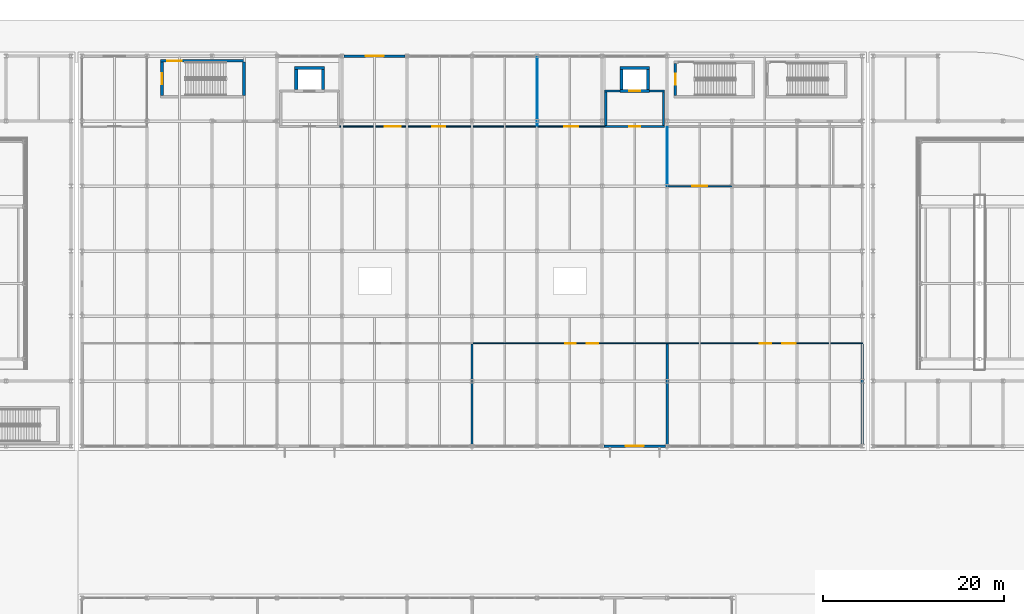
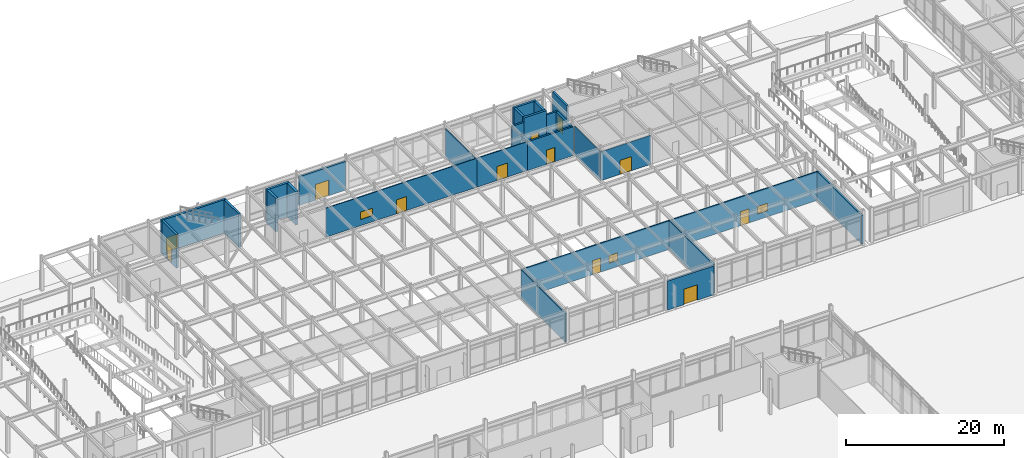
# One storey, part 74 of 104: 28 walls, 12 doors, 3 windows, 15 openings.
"""IFC4 building model written with IfcOpenShell, lengths in metres."""

from ifc_helpers import new_model, si_unit, direction, frame, frame_2d, origin, place, context, subcontext, project, spatial, rectangle, extrude, material, layer, layer_set, type_object, element, fill, save


model = new_model("IFC4")

# Units and contexts
model_context = context("Model", 3, precision=1e-05, world=origin(), true_north=direction((0.0, 1.0)))
body_context = subcontext(model_context, "Body", "Model", "MODEL_VIEW")
ifc_project = project(units=[si_unit("LENGTHUNIT", "METRE"), si_unit("AREAUNIT", "SQUARE_METRE"), si_unit("VOLUMEUNIT", "CUBIC_METRE"), si_unit("PLANEANGLEUNIT", "RADIAN"), si_unit("MASSUNIT", "GRAM", prefix="KILO")], contexts=[model_context])

# Site, building, storey
site_placement = place(None, origin())
site = spatial("IfcSite", under=ifc_project, at=site_placement, CompositionType="ELEMENT")
building_placement = place(site_placement, origin())
building = spatial("IfcBuilding", under=site, at=building_placement, Name="Vaelcorin Mobility Hub", CompositionType="ELEMENT")
storey_placement = place(building_placement, origin())
storey = spatial("IfcBuildingStorey", under=building, at=storey_placement, Name="L00", CompositionType="ELEMENT", Elevation=0.0)

# Wall, opening, door
ifc_material_1 = material(Name="Reinforced concrete f'c 45 MPa", Category="concrete")
ifc_layer_1 = layer(ifc_material_1, 0.27490234375)
ifc_layer_set_1 = layer_set([ifc_layer_1], Name="Reinforced concrete f'c 45 MPa")
wall_type_1 = type_object("IfcWallType", Name="WL-CORE-275", PredefinedType="SOLIDWALL", material=ifc_layer_set_1)
wall_1_placement = place(storey_placement, frame((101.7119140625, 115.64990234375, 0.0), z_axis=(0.0, 0.0, 1.0), x_axis=(0.0, 1.0, 0.0)))
wall_1 = element("IfcWall", 1, at=wall_1_placement, inside=storey, type_object=wall_type_1, Name="ST4 Fire Core Wall L00 West", PredefinedType="SOLIDWALL", context=body_context, shape_type="SweptSolid", body=[
    extrude(rectangle(XDim=3.56005859375, YDim=0.27490234375, at=frame_2d((1.780029296875, 0.0))), origin(), (0.0, 0.0, 1.0), 5.159912109375),
])
opening_1_placement = place(wall_1_placement, frame((1.155029296875, 0.0, 0.0)))
opening_1 = element("IfcOpeningElement", 2, at=opening_1_placement, cuts=wall_1, Name="Opening SD02", PredefinedType="OPENING", context=body_context, shape_type="SweptSolid", body=[
    extrude(rectangle(XDim=1.25, YDim=2.199951171875, at=frame_2d((0.625, 1.10009765625))), frame((0.0, 0.1474609375, 0.0), z_axis=(0.0, -1.0, 0.0), x_axis=(1.0, 0.0, 0.0)), (0.0, 0.0, 1.0), 0.294921875),
])
ifc_material_2 = material(Name="Hollow-metal insulated steel fire door", Category="steel")
door_type_1 = type_object("IfcDoorType", Name="DR-STAIR-FF", OperationType="NOTDEFINED", PredefinedType="DOOR", material=ifc_material_2)
door_1_placement = place(opening_1_placement, origin())
door_1 = element("IfcDoor", 3, at=door_1_placement, inside=storey, type_object=door_type_1, Name="ST4 Protected Stair Door L00", OperationType="SINGLE_SWING_LEFT", OverallHeight=2.199951171875, OverallWidth=1.25, PredefinedType="DOOR", context=body_context, shape_type="SweptSolid", body=[
    extrude(rectangle(XDim=1.25, YDim=2.199951171875, at=frame_2d((0.625, 1.10009765625))), frame((0.0, 0.02490234375, 0.0), z_axis=(0.0, -1.0, 0.0), x_axis=(1.0, 0.0, 0.0)), (0.0, 0.0, 1.0), 0.050048828125),
])
fill(opening_1, door_1)

ifc_layer_2 = layer(ifc_material_1, 0.300048828125)
ifc_layer_set_2 = layer_set([ifc_layer_2], Name="Reinforced concrete f'c 45 MPa")
wall_type_2 = type_object("IfcWallType", Name="WL-CORE-300", PredefinedType="SOLIDWALL", material=ifc_layer_set_2)
wall_2_placement = place(storey_placement, frame((44.699951171875, 119.47998046875, 0.0), z_axis=(0.0, 0.0, 1.0), x_axis=(1.0, 0.0, 0.0)))
wall_2 = element("IfcWall", 4, at=wall_2_placement, inside=storey, type_object=wall_type_2, Name="ST3 Fire Core Wall L00 North", PredefinedType="SOLIDWALL", context=body_context, shape_type="SweptSolid", body=[
    extrude(rectangle(XDim=9.400146484375, YDim=0.300048828125, at=frame_2d((4.7001953125, 0.0))), origin(), (0.0, 0.0, 1.0), 5.159912109375),
])
opening_2_placement = place(wall_2_placement, frame((0.75, 0.0, 0.0)))
opening_2 = element("IfcOpeningElement", 5, at=opening_2_placement, cuts=wall_2, Name="Opening SD03", PredefinedType="OPENING", context=body_context, shape_type="SweptSolid", body=[
    extrude(rectangle(XDim=1.60009765625, YDim=2.14990234375, at=frame_2d((0.800048828125, 1.074951171875))), frame((0.0, 0.159912109375, 0.0), z_axis=(0.0, -1.0, 0.0), x_axis=(1.0, 0.0, 0.0)), (0.0, 0.0, 1.0), 0.320068359375),
])
door_type_2 = type_object("IfcDoorType", Name="DR-STAIR-EXIT", OperationType="NOTDEFINED", PredefinedType="DOOR", material=ifc_material_2)
door_2_placement = place(opening_2_placement, origin())
door_2 = element("IfcDoor", 6, at=door_2_placement, inside=storey, type_object=door_type_2, Name="ST3 Final Exit Discharge Door L00", OperationType="SINGLE_SWING_RIGHT", OverallHeight=2.14990234375, OverallWidth=1.60009765625, PredefinedType="DOOR", context=body_context, shape_type="SweptSolid", body=[
    extrude(rectangle(XDim=1.60009765625, YDim=2.14990234375, at=frame_2d((0.800048828125, 1.074951171875))), frame((0.0, 0.02490234375, 0.0), z_axis=(0.0, -1.0, 0.0), x_axis=(1.0, 0.0, 0.0)), (0.0, 0.0, 1.0), 0.050048828125),
])
fill(opening_2, door_2)

wall_3_placement = place(storey_placement, frame((44.85009765625, 115.64990234375, 0.0), z_axis=(0.0, 0.0, 1.0), x_axis=(0.0, 1.0, 0.0)))
wall_3 = element("IfcWall", 7, at=wall_3_placement, inside=storey, type_object=wall_type_2, Name="ST3 Fire Core Wall L00 West", PredefinedType="SOLIDWALL", context=body_context, shape_type="SweptSolid", body=[
    extrude(rectangle(XDim=3.68017578125, YDim=0.300048828125, at=frame_2d((1.840087890625, 0.0))), origin(), (0.0, 0.0, 1.0), 5.159912109375),
])
opening_3_placement = place(wall_3_placement, frame((1.215087890625, 0.0, 0.0)))
opening_3 = element("IfcOpeningElement", 8, at=opening_3_placement, cuts=wall_3, Name="Opening SD02", PredefinedType="OPENING", context=body_context, shape_type="SweptSolid", body=[
    extrude(rectangle(XDim=1.25, YDim=2.199951171875, at=frame_2d((0.625, 1.10009765625))), frame((0.0, 0.159912109375, 0.0), z_axis=(0.0, -1.0, 0.0), x_axis=(1.0, 0.0, 0.0)), (0.0, 0.0, 1.0), 0.320068359375),
])
door_3_placement = place(opening_3_placement, origin())
door_3 = element("IfcDoor", 9, at=door_3_placement, inside=storey, type_object=door_type_1, Name="ST3 Protected Stair Door L00", OperationType="SINGLE_SWING_LEFT", OverallHeight=2.199951171875, OverallWidth=1.25, PredefinedType="DOOR", context=body_context, shape_type="SweptSolid", body=[
    extrude(rectangle(XDim=1.25, YDim=2.199951171875, at=frame_2d((0.625, 1.10009765625))), frame((0.0, 0.02490234375, 0.0), z_axis=(0.0, -1.0, 0.0), x_axis=(1.0, 0.0, 0.0)), (0.0, 0.0, 1.0), 0.050048828125),
])
fill(opening_3, door_3)

# Wall
wall_4_placement = place(storey_placement, frame((53.949951171875, 119.330078125, 0.0), z_axis=(0.0, 0.0, 1.0), x_axis=(0.0, -1.0, 0.0)))
element("IfcWall", 10, at=wall_4_placement, inside=storey, type_object=wall_type_2, Name="ST3 Fire Core Wall L00 East", PredefinedType="SOLIDWALL", context=body_context, shape_type="SweptSolid", body=[
    extrude(rectangle(XDim=3.68017578125, YDim=0.300048828125, at=frame_2d((1.840087890625, 0.0))), origin(), (0.0, 0.0, 1.0), 5.159912109375),
])

# Wall, opening, door
ifc_material_3 = material(Name="Insulated exterior precast concrete C40/50", Category="concrete")
ifc_layer_3 = layer(ifc_material_3, 0.280029296875)
ifc_layer_set_3 = layer_set([ifc_layer_3], Name="Insulated exterior precast concrete C40/50")
wall_type_3 = type_object("IfcWallType", Name="WL-EXT-280", PredefinedType="STANDARD", material=ifc_layer_set_3)
wall_5_placement = place(storey_placement, frame((65.007080078125, 120.0, 0.0), z_axis=(0.0, 0.0, 1.0), x_axis=(1.0, 0.0, 0.0)))
wall_5 = element("IfcWall", 11, at=wall_5_placement, inside=storey, type_object=wall_type_3, Name="L00 Exterior Wall V4-EW-L00-N-05", PredefinedType="STANDARD", context=body_context, shape_type="SweptSolid", body=[
    extrude(rectangle(XDim=6.785888671875, YDim=0.280029296875, at=frame_2d((3.39306640625, 0.0))), origin(), (0.0, 0.0, 1.0), 4.4619140625),
])
opening_4_placement = place(wall_5_placement, frame((2.403076171875, 0.0, 0.0)))
opening_4 = element("IfcOpeningElement", 12, at=opening_4_placement, cuts=wall_5, Name="Opening ED01", PredefinedType="OPENING", context=body_context, shape_type="SweptSolid", body=[
    extrude(rectangle(XDim=2.0, YDim=2.39990234375, at=frame_2d((1.0, 1.199951171875))), frame((0.0, 0.14990234375, 0.0), z_axis=(0.0, -1.0, 0.0), x_axis=(1.0, 0.0, 0.0)), (0.0, 0.0, 1.0), 0.300048828125),
])
ifc_material_4 = material(Name="Anodised aluminium 6063-T6", Category="aluminium")
door_type_3 = type_object("IfcDoorType", Name="DR-EXT-2000X2400", OperationType="NOTDEFINED", PredefinedType="DOOR", material=ifc_material_4)
door_4_placement = place(opening_4_placement, origin())
door_4 = element("IfcDoor", 13, at=door_4_placement, inside=storey, type_object=door_type_3, Name="L00 Exterior Door DR-V4-N-ENT-05", OperationType="SINGLE_SWING_RIGHT", OverallHeight=2.39990234375, OverallWidth=2.0, PredefinedType="DOOR", context=body_context, shape_type="SweptSolid", body=[
    extrude(rectangle(XDim=2.0, YDim=2.39990234375, at=frame_2d((1.0, 1.199951171875))), frame((0.0, 0.02490234375, 0.0), z_axis=(0.0, -1.0, 0.0), x_axis=(1.0, 0.0, 0.0)), (0.0, 0.0, 1.0), 0.050048828125),
])
fill(opening_4, door_4)

wall_6_placement = place(storey_placement, frame((100.593017578125, 76.800048828125, 0.0), z_axis=(0.0, 0.0, 1.0), x_axis=(-1.0, 0.0, 0.0)))
wall_6 = element("IfcWall", 14, at=wall_6_placement, inside=storey, type_object=wall_type_3, Name="L00 Exterior Wall V4-EW-L00-S-09", PredefinedType="STANDARD", context=body_context, shape_type="SweptSolid", body=[
    extrude(rectangle(XDim=6.7861328125, YDim=0.280029296875, at=frame_2d((3.39306640625, 0.0))), origin(), (0.0, 0.0, 1.0), 4.4619140625),
])
opening_5_placement = place(wall_6_placement, frame((2.403076171875, 0.0, 0.0)))
opening_5 = element("IfcOpeningElement", 15, at=opening_5_placement, cuts=wall_6, Name="Opening ED01", PredefinedType="OPENING", context=body_context, shape_type="SweptSolid", body=[
    extrude(rectangle(XDim=2.0, YDim=2.39990234375, at=frame_2d((1.0, 1.199951171875))), frame((0.0, 0.14990234375, 0.0), z_axis=(0.0, -1.0, 0.0), x_axis=(1.0, 0.0, 0.0)), (0.0, 0.0, 1.0), 0.300048828125),
])
door_5_placement = place(opening_5_placement, origin())
door_5 = element("IfcDoor", 16, at=door_5_placement, inside=storey, type_object=door_type_3, Name="L00 Exterior Door DR-V4-ENT-09", OperationType="SINGLE_SWING_LEFT", OverallHeight=2.39990234375, OverallWidth=2.0, PredefinedType="DOOR", context=body_context, shape_type="SweptSolid", body=[
    extrude(rectangle(XDim=2.0, YDim=2.39990234375, at=frame_2d((1.0, 1.199951171875))), frame((0.0, 0.02490234375, 0.0), z_axis=(0.0, -1.0, 0.0), x_axis=(1.0, 0.0, 0.0)), (0.0, 0.0, 1.0), 0.050048828125),
])
fill(opening_5, door_5)

# Wall
ifc_material_5 = material(Name="Fire-rated acoustic steel-stud gypsum board", Category="steel")
ifc_layer_4 = layer(ifc_material_5, 0.10498046875)
ifc_layer_set_4 = layer_set([ifc_layer_4], Name="Fire-rated acoustic steel-stud gypsum board")
wall_type_4 = type_object("IfcWallType", Name="WL-PART-105", PredefinedType="PARTITIONING", material=ifc_layer_set_4)
wall_7_placement = place(storey_placement, frame((86.39990234375, 119.85791015625, 0.0), z_axis=(0.0, 0.0, 1.0), x_axis=(0.0, -1.0, 0.0)))
element("IfcWall", 17, at=wall_7_placement, inside=storey, type_object=wall_type_4, Name="North Mobility Service Showroom Partition East", PredefinedType="PARTITIONING", context=body_context, shape_type="SweptSolid", body=[
    extrude(rectangle(XDim=7.5908203125, YDim=0.10498046875, at=frame_2d((3.79541015625, 0.0))), origin(), (0.0, 0.0, 1.0), 4.45703125),
])

# Wall, openings, door, window
ifc_layer_5 = layer(ifc_material_5, 0.110107421875)
ifc_layer_set_5 = layer_set([ifc_layer_5], Name="Fire-rated acoustic steel-stud gypsum board")
wall_type_5 = type_object("IfcWallType", Name="WL-PART-110", PredefinedType="PARTITIONING", material=ifc_layer_set_5)
wall_8_placement = place(storey_placement, frame((79.281982421875, 88.199951171875, 0.0), z_axis=(0.0, 0.0, 1.0), x_axis=(1.0, 0.0, 0.0)))
wall_8 = element("IfcWall", 18, at=wall_8_placement, inside=storey, type_object=wall_type_5, Name="Transit Commuter Provision Shop Partition North", PredefinedType="PARTITIONING", context=body_context, shape_type="SweptSolid", body=[
    extrude(rectangle(XDim=21.597900390625, YDim=0.110107421875, at=frame_2d((10.798828125, 0.0))), origin(), (0.0, 0.0, 1.0), 4.45703125),
])
opening_6_placement = place(wall_8_placement, frame((10.22900390625, 0.0, 0.0)))
opening_6 = element("IfcOpeningElement", 19, at=opening_6_placement, cuts=wall_8, Name="Opening ID17", PredefinedType="OPENING", context=body_context, shape_type="SweptSolid", body=[
    extrude(rectangle(XDim=1.139892578125, YDim=2.159912109375, at=frame_2d((0.56982421875, 1.080078125))), frame((0.0, 0.06494140625, 0.0), z_axis=(0.0, -1.0, 0.0), x_axis=(1.0, 0.0, 0.0)), (0.0, 0.0, 1.0), 0.130126953125),
])
opening_7_placement = place(wall_8_placement, frame((12.618896484375, 0.0, 0.949951171875)))
opening_7 = element("IfcOpeningElement", 20, at=opening_7_placement, cuts=wall_8, Name="Opening IW-WN06", PredefinedType="OPENING", context=body_context, shape_type="SweptSolid", body=[
    extrude(rectangle(XDim=1.25, YDim=1.14990234375, at=frame_2d((0.625, 0.574951171875))), frame((0.0, 0.06494140625, 0.0), z_axis=(0.0, -1.0, 0.0), x_axis=(1.0, 0.0, 0.0)), (0.0, 0.0, 1.0), 0.130126953125),
])
ifc_material_6 = material(Name="Solid-core hardwood fire door assembly", Category="wood")
door_type_4 = type_object("IfcDoorType", Name="DR-INT-17", OperationType="NOTDEFINED", PredefinedType="DOOR", material=ifc_material_6)
door_6_placement = place(opening_6_placement, origin())
door_6 = element("IfcDoor", 21, at=door_6_placement, inside=storey, type_object=door_type_4, Name="Transit Commuter Provision Shop Door", OperationType="SINGLE_SWING_LEFT", OverallHeight=2.159912109375, OverallWidth=1.139892578125, PredefinedType="DOOR", context=body_context, shape_type="SweptSolid", body=[
    extrude(rectangle(XDim=1.139892578125, YDim=2.159912109375, at=frame_2d((0.56982421875, 1.080078125))), frame((0.0, 0.02490234375, 0.0), z_axis=(0.0, -1.0, 0.0), x_axis=(1.0, 0.0, 0.0)), (0.0, 0.0, 1.0), 0.050048828125),
])
fill(opening_6, door_6)
ifc_material_7 = material(Name="Acoustic laminated fire-rated interior glazing", Category="glass")
window_type_1 = type_object("IfcWindowType", Name="WIN-INT-06", PartitioningType="SINGLE_PANEL", PredefinedType="WINDOW", material=ifc_material_7)
window_1_placement = place(opening_7_placement, origin())
window_1 = element("IfcWindow", 22, at=window_1_placement, inside=storey, type_object=window_type_1, Name="Transit Commuter Provision Shop Observation Glazing", OverallHeight=1.14990234375, OverallWidth=1.25, PartitioningType="SINGLE_PANEL", PredefinedType="WINDOW", context=body_context, shape_type="SweptSolid", body=[
    extrude(rectangle(XDim=1.25, YDim=1.14990234375, at=frame_2d((0.625, 0.574951171875))), frame((0.0, 0.030029296875, 0.0), z_axis=(0.0, -1.0, 0.0), x_axis=(1.0, 0.0, 0.0)), (0.0, 0.0, 1.0), 0.06005859375),
])
fill(opening_7, window_1)

# Wall
wall_9_placement = place(storey_placement, frame((100.800048828125, 105.669921875, 0.0), z_axis=(0.0, 0.0, 1.0), x_axis=(0.0, 1.0, 0.0)))
element("IfcWall", 23, at=wall_9_placement, inside=storey, type_object=wall_type_5, Name="Public Restrooms L00 Partition West", PredefinedType="PARTITIONING", context=body_context, shape_type="SweptSolid", body=[
    extrude(rectangle(XDim=6.446044921875, YDim=0.110107421875, at=frame_2d((3.22314453125, 0.0))), origin(), (0.0, 0.0, 1.0), 4.45703125),
])

# Wall, openings, door, window
ifc_layer_6 = layer(ifc_material_5, 0.114990234375)
ifc_layer_set_6 = layer_set([ifc_layer_6], Name="Fire-rated acoustic steel-stud gypsum board")
wall_type_6 = type_object("IfcWallType", Name="WL-PART-115", PredefinedType="PARTITIONING", material=ifc_layer_set_6)
wall_10_placement = place(storey_placement, frame((100.882080078125, 88.199951171875, 0.0), z_axis=(0.0, 0.0, 1.0), x_axis=(1.0, 0.0, 0.0)))
wall_10 = element("IfcWall", 24, at=wall_10_placement, inside=storey, type_object=wall_type_6, Name="Community Mobility Briefing Room Partition North", PredefinedType="PARTITIONING", context=body_context, shape_type="SweptSolid", body=[
    extrude(rectangle(XDim=21.597900390625, YDim=0.114990234375, at=frame_2d((10.798828125, 0.0))), origin(), (0.0, 0.0, 1.0), 4.45703125),
])
opening_8_placement = place(wall_10_placement, frame((10.178955078125, 0.0, 0.0)))
opening_8 = element("IfcOpeningElement", 25, at=opening_8_placement, cuts=wall_10, Name="Opening ID18", PredefinedType="OPENING", context=body_context, shape_type="SweptSolid", body=[
    extrude(rectangle(XDim=1.239990234375, YDim=2.159912109375, at=frame_2d((0.6201171875, 1.080078125))), frame((0.0, 0.0673828125, 0.0), z_axis=(0.0, -1.0, 0.0), x_axis=(1.0, 0.0, 0.0)), (0.0, 0.0, 1.0), 0.135009765625),
])
opening_9_placement = place(wall_10_placement, frame((12.6689453125, 0.0, 0.949951171875)))
opening_9 = element("IfcOpeningElement", 26, at=opening_9_placement, cuts=wall_10, Name="Opening IW-WN07", PredefinedType="OPENING", context=body_context, shape_type="SweptSolid", body=[
    extrude(rectangle(XDim=1.5, YDim=1.14990234375, at=frame_2d((0.75, 0.574951171875))), frame((0.0, 0.0673828125, 0.0), z_axis=(0.0, -1.0, 0.0), x_axis=(1.0, 0.0, 0.0)), (0.0, 0.0, 1.0), 0.135009765625),
])
door_type_5 = type_object("IfcDoorType", Name="DR-INT-18", OperationType="NOTDEFINED", PredefinedType="DOOR", material=ifc_material_6)
door_7_placement = place(opening_8_placement, origin())
door_7 = element("IfcDoor", 27, at=door_7_placement, inside=storey, type_object=door_type_5, Name="Community Mobility Briefing Room Door", OperationType="SINGLE_SWING_RIGHT", OverallHeight=2.159912109375, OverallWidth=1.239990234375, PredefinedType="DOOR", context=body_context, shape_type="SweptSolid", body=[
    extrude(rectangle(XDim=1.239990234375, YDim=2.159912109375, at=frame_2d((0.6201171875, 1.080078125))), frame((0.0, 0.02490234375, 0.0), z_axis=(0.0, -1.0, 0.0), x_axis=(1.0, 0.0, 0.0)), (0.0, 0.0, 1.0), 0.050048828125),
])
fill(opening_8, door_7)
window_type_2 = type_object("IfcWindowType", Name="WIN-INT-07", PartitioningType="SINGLE_PANEL", PredefinedType="WINDOW", material=ifc_material_7)
window_2_placement = place(opening_9_placement, origin())
window_2 = element("IfcWindow", 28, at=window_2_placement, inside=storey, type_object=window_type_2, Name="Community Mobility Briefing Room Observation Glazing", OverallHeight=1.14990234375, OverallWidth=1.5, PartitioningType="SINGLE_PANEL", PredefinedType="WINDOW", context=body_context, shape_type="SweptSolid", body=[
    extrude(rectangle(XDim=1.5, YDim=1.14990234375, at=frame_2d((0.75, 0.574951171875))), frame((0.0, 0.030029296875, 0.0), z_axis=(0.0, -1.0, 0.0), x_axis=(1.0, 0.0, 0.0)), (0.0, 0.0, 1.0), 0.06005859375),
])
fill(opening_9, window_2)

ifc_layer_7 = layer(ifc_material_5, 0.125)
ifc_layer_set_7 = layer_set([ifc_layer_7], Name="Fire-rated acoustic steel-stud gypsum board")
wall_type_7 = type_object("IfcWallType", Name="WL-PART-125", PredefinedType="PARTITIONING", material=ifc_layer_set_7)
wall_11_placement = place(storey_placement, frame((86.47998046875, 112.199951171875, 0.0), z_axis=(0.0, 0.0, 1.0), x_axis=(-1.0, 0.0, 0.0)))
wall_11 = element("IfcWall", 29, at=wall_11_placement, inside=storey, type_object=wall_type_7, Name="North Mobility Service Showroom Partition South", PredefinedType="PARTITIONING", context=body_context, shape_type="SweptSolid", body=[
    extrude(rectangle(XDim=21.952880859375, YDim=0.125, at=frame_2d((10.9765625, 0.0))), origin(), (0.0, 0.0, 1.0), 4.45703125),
])
opening_10_placement = place(wall_11_placement, frame((10.256103515625, 0.0, 0.0)))
opening_10 = element("IfcOpeningElement", 30, at=opening_10_placement, cuts=wall_11, Name="Opening ID20", PredefinedType="OPENING", context=body_context, shape_type="SweptSolid", body=[
    extrude(rectangle(XDim=1.43994140625, YDim=2.159912109375, at=frame_2d((0.719970703125, 1.080078125))), frame((0.0, 0.072509765625, 0.0), z_axis=(0.0, -1.0, 0.0), x_axis=(1.0, 0.0, 0.0)), (0.0, 0.0, 1.0), 0.14501953125),
])
opening_11_placement = place(wall_11_placement, frame((15.196044921875, 0.0, 0.949951171875)))
opening_11 = element("IfcOpeningElement", 31, at=opening_11_placement, cuts=wall_11, Name="Opening IW-WN08", PredefinedType="OPENING", context=body_context, shape_type="SweptSolid", body=[
    extrude(rectangle(XDim=1.75, YDim=1.14990234375, at=frame_2d((0.875, 0.574951171875))), frame((0.0, 0.072509765625, 0.0), z_axis=(0.0, -1.0, 0.0), x_axis=(1.0, 0.0, 0.0)), (0.0, 0.0, 1.0), 0.14501953125),
])
door_type_6 = type_object("IfcDoorType", Name="DR-INT-20", OperationType="NOTDEFINED", PredefinedType="DOOR", material=ifc_material_6)
door_8_placement = place(opening_10_placement, origin())
door_8 = element("IfcDoor", 32, at=door_8_placement, inside=storey, type_object=door_type_6, Name="North Mobility Service Showroom Door", OperationType="SINGLE_SWING_RIGHT", OverallHeight=2.159912109375, OverallWidth=1.43994140625, PredefinedType="DOOR", context=body_context, shape_type="SweptSolid", body=[
    extrude(rectangle(XDim=1.43994140625, YDim=2.159912109375, at=frame_2d((0.719970703125, 1.080078125))), frame((0.0, 0.02490234375, 0.0), z_axis=(0.0, -1.0, 0.0), x_axis=(1.0, 0.0, 0.0)), (0.0, 0.0, 1.0), 0.050048828125),
])
fill(opening_10, door_8)
window_type_3 = type_object("IfcWindowType", Name="WIN-INT-08", PartitioningType="SINGLE_PANEL", PredefinedType="WINDOW", material=ifc_material_7)
window_3_placement = place(opening_11_placement, origin())
window_3 = element("IfcWindow", 33, at=window_3_placement, inside=storey, type_object=window_type_3, Name="North Mobility Service Showroom Observation Glazing", OverallHeight=1.14990234375, OverallWidth=1.75, PartitioningType="SINGLE_PANEL", PredefinedType="WINDOW", context=body_context, shape_type="SweptSolid", body=[
    extrude(rectangle(XDim=1.75, YDim=1.14990234375, at=frame_2d((0.875, 0.574951171875))), frame((0.0, 0.030029296875, 0.0), z_axis=(0.0, -1.0, 0.0), x_axis=(1.0, 0.0, 0.0)), (0.0, 0.0, 1.0), 0.06005859375),
])
fill(opening_11, window_3)

# Wall, opening, door
ifc_layer_8 = layer(ifc_material_5, 0.1298828125)
ifc_layer_set_8 = layer_set([ifc_layer_8], Name="Fire-rated acoustic steel-stud gypsum board")
wall_type_8 = type_object("IfcWallType", Name="WL-PART-130", PredefinedType="PARTITIONING", material=ifc_layer_set_8)
wall_12_placement = place(storey_placement, frame((93.873046875, 112.199951171875, 0.0), z_axis=(0.0, 0.0, 1.0), x_axis=(-1.0, 0.0, 0.0)))
wall_12 = element("IfcWall", 34, at=wall_12_placement, inside=storey, type_object=wall_type_8, Name="Transit Security Operations Room Partition South", PredefinedType="PARTITIONING", context=body_context, shape_type="SweptSolid", body=[
    extrude(rectangle(XDim=7.39111328125, YDim=0.1298828125, at=frame_2d((3.695556640625, 0.0))), origin(), (0.0, 0.0, 1.0), 4.45703125),
])
opening_12_placement = place(wall_12_placement, frame((2.916015625, 0.0, 0.0)))
opening_12 = element("IfcOpeningElement", 35, at=opening_12_placement, cuts=wall_12, Name="Opening ID21", PredefinedType="OPENING", context=body_context, shape_type="SweptSolid", body=[
    extrude(rectangle(XDim=1.56005859375, YDim=2.159912109375, at=frame_2d((0.780029296875, 1.080078125))), frame((0.0, 0.074951171875, 0.0), z_axis=(0.0, -1.0, 0.0), x_axis=(1.0, 0.0, 0.0)), (0.0, 0.0, 1.0), 0.14990234375),
])
door_type_7 = type_object("IfcDoorType", Name="DR-INT-21", OperationType="NOTDEFINED", PredefinedType="DOOR", material=ifc_material_2)
door_9_placement = place(opening_12_placement, origin())
door_9 = element("IfcDoor", 36, at=door_9_placement, inside=storey, type_object=door_type_7, Name="Transit Security Operations Room Door", OperationType="SINGLE_SWING_LEFT", OverallHeight=2.159912109375, OverallWidth=1.56005859375, PredefinedType="DOOR", context=body_context, shape_type="SweptSolid", body=[
    extrude(rectangle(XDim=1.56005859375, YDim=2.159912109375, at=frame_2d((0.780029296875, 1.080078125))), frame((0.0, 0.02490234375, 0.0), z_axis=(0.0, -1.0, 0.0), x_axis=(1.0, 0.0, 0.0)), (0.0, 0.0, 1.0), 0.050048828125),
])
fill(opening_12, door_9)

ifc_layer_9 = layer(ifc_material_5, 0.135009765625)
ifc_layer_set_9 = layer_set([ifc_layer_9], Name="Fire-rated acoustic steel-stud gypsum board")
wall_type_9 = type_object("IfcWallType", Name="WL-PART-135", PredefinedType="PARTITIONING", material=ifc_layer_set_9)
wall_13_placement = place(storey_placement, frame((108.080078125, 105.60009765625, 0.0), z_axis=(0.0, 0.0, 1.0), x_axis=(-1.0, 0.0, 0.0)))
wall_13 = element("IfcWall", 37, at=wall_13_placement, inside=storey, type_object=wall_type_9, Name="Public Restrooms L00 Partition South", PredefinedType="PARTITIONING", context=body_context, shape_type="SweptSolid", body=[
    extrude(rectangle(XDim=7.360107421875, YDim=0.135009765625, at=frame_2d((3.68017578125, 0.0))), origin(), (0.0, 0.0, 1.0), 4.45703125),
])
opening_13_placement = place(wall_13_placement, frame((2.840087890625, 0.0, 0.0)))
opening_13 = element("IfcOpeningElement", 38, at=opening_13_placement, cuts=wall_13, Name="Opening ID22", PredefinedType="OPENING", context=body_context, shape_type="SweptSolid", body=[
    extrude(rectangle(XDim=1.679931640625, YDim=2.159912109375, at=frame_2d((0.83984375, 1.080078125))), frame((0.0, 0.077392578125, 0.0), z_axis=(0.0, -1.0, 0.0), x_axis=(1.0, 0.0, 0.0)), (0.0, 0.0, 1.0), 0.155029296875),
])
door_type_8 = type_object("IfcDoorType", Name="DR-INT-22", OperationType="NOTDEFINED", PredefinedType="DOOR", material=ifc_material_2)
door_10_placement = place(opening_13_placement, origin())
door_10 = element("IfcDoor", 39, at=door_10_placement, inside=storey, type_object=door_type_8, Name="Public Restrooms L00 Door", OperationType="SINGLE_SWING_RIGHT", OverallHeight=2.159912109375, OverallWidth=1.679931640625, PredefinedType="DOOR", context=body_context, shape_type="SweptSolid", body=[
    extrude(rectangle(XDim=1.679931640625, YDim=2.159912109375, at=frame_2d((0.83984375, 1.080078125))), frame((0.0, 0.02490234375, 0.0), z_axis=(0.0, -1.0, 0.0), x_axis=(1.0, 0.0, 0.0)), (0.0, 0.0, 1.0), 0.050048828125),
])
fill(opening_13, door_10)

# Wall
ifc_material_8 = material(Name="Reinforced acoustic concrete masonry C30/37", Category="masonry")
ifc_layer_10 = layer(ifc_material_8, 0.235107421875)
ifc_layer_set_10 = layer_set([ifc_layer_10], Name="Reinforced acoustic concrete masonry C30/37")
wall_type_10 = type_object("IfcWallType", Name="WL-PART-235", PredefinedType="PARTITIONING", material=ifc_layer_set_10)
wall_14_placement = place(storey_placement, frame((79.199951171875, 88.14306640625, 0.0), z_axis=(0.0, 0.0, 1.0), x_axis=(0.0, -1.0, 0.0)))
element("IfcWall", 40, at=wall_14_placement, inside=storey, type_object=wall_type_10, Name="Oasis Courtyard Garden Cafe Partition East", PredefinedType="PARTITIONING", context=body_context, shape_type="SweptSolid", body=[
    extrude(rectangle(XDim=11.201171875, YDim=0.235107421875, at=frame_2d((5.6005859375, 0.0))), origin(), (0.0, 0.0, 1.0), 4.45703125),
])

# Wall, opening, door
ifc_layer_11 = layer(ifc_material_8, 0.25)
ifc_layer_set_11 = layer_set([ifc_layer_11], Name="Reinforced acoustic concrete masonry C30/37")
wall_type_11 = type_object("IfcWallType", Name="WL-PART-250", PredefinedType="PARTITIONING", material=ifc_layer_set_11)
wall_15_placement = place(storey_placement, frame((100.52490234375, 112.199951171875, 0.0), z_axis=(0.0, 0.0, 1.0), x_axis=(-1.0, 0.0, 0.0)))
wall_15 = element("IfcWall", 41, at=wall_15_placement, inside=storey, type_object=wall_type_11, Name="Firefighting Lobby East L00 Partition South", PredefinedType="PARTITIONING", context=body_context, shape_type="SweptSolid", body=[
    extrude(rectangle(XDim=6.64990234375, YDim=0.25, at=frame_2d((3.324951171875, 0.0))), origin(), (0.0, 0.0, 1.0), 4.45703125),
])
opening_14_placement = place(wall_15_placement, frame((2.699951171875, 0.0, 0.0)))
opening_14 = element("IfcOpeningElement", 42, at=opening_14_placement, cuts=wall_15, Name="Opening SD02", PredefinedType="OPENING", context=body_context, shape_type="SweptSolid", body=[
    extrude(rectangle(XDim=1.25, YDim=2.199951171875, at=frame_2d((0.625, 1.10009765625))), frame((0.0, 0.135009765625, 0.0), z_axis=(0.0, -1.0, 0.0), x_axis=(1.0, 0.0, 0.0)), (0.0, 0.0, 1.0), 0.27001953125),
])
door_11_placement = place(opening_14_placement, origin())
door_11 = element("IfcDoor", 43, at=door_11_placement, inside=storey, type_object=door_type_1, Name="Firefighting Lobby East L00 Door", OperationType="SINGLE_SWING_RIGHT", OverallHeight=2.199951171875, OverallWidth=1.25, PredefinedType="DOOR", context=body_context, shape_type="SweptSolid", body=[
    extrude(rectangle(XDim=1.25, YDim=2.199951171875, at=frame_2d((0.625, 1.10009765625))), frame((0.0, 0.02490234375, 0.0), z_axis=(0.0, -1.0, 0.0), x_axis=(1.0, 0.0, 0.0)), (0.0, 0.0, 1.0), 0.050048828125),
])
fill(opening_14, door_11)

# Walls
for number, where, z_axis, x_axis, name in (
    (44, (93.875, 116.137939453125, 0.0), (0.0, 0.0, 1.0), (1.0, 0.0, 0.0), "Firefighting Lobby East L00 Return Wall NW"),
    (45, (98.826904296875, 116.137939453125, 0.0), (0.0, 0.0, 1.0), (1.0, 0.0, 0.0), "Firefighting Lobby East L00 Return Wall NE"),
):
    element("IfcWall", number, at=place(storey_placement, frame(where, z_axis=z_axis, x_axis=x_axis)), inside=storey, type_object=wall_type_11, Name=name, PredefinedType="PARTITIONING", context=body_context, shape_type="SweptSolid", body=[
        extrude(rectangle(XDim=1.697998046875, YDim=0.25, at=frame_2d((0.84912109375, 0.0))), origin(), (0.0, 0.0, 1.0), 4.45703125),
    ])
for number, where, z_axis, x_axis, name in (
    (46, (94.0, 112.326904296875, 0.0), (0.0, 0.0, 1.0), (0.0, 1.0, 0.0), "Firefighting Lobby East L00 Partition West"),
    (47, (100.39990234375, 116.010986328125, 0.0), (0.0, 0.0, 1.0), (0.0, -1.0, 0.0), "Firefighting Lobby East L00 Partition East"),
):
    element("IfcWall", number, at=place(storey_placement, frame(where, z_axis=z_axis, x_axis=x_axis)), inside=storey, type_object=wall_type_11, Name=name, PredefinedType="PARTITIONING", context=body_context, shape_type="SweptSolid", body=[
        extrude(rectangle(XDim=3.68408203125, YDim=0.25, at=frame_2d((1.842041015625, 0.0))), origin(), (0.0, 0.0, 1.0), 4.45703125),
    ])
wall_16_placement = place(storey_placement, frame((100.800048828125, 88.139892578125, 0.0), z_axis=(0.0, 0.0, 1.0), x_axis=(0.0, -1.0, 0.0)))
element("IfcWall", 48, at=wall_16_placement, inside=storey, type_object=wall_type_11, Name="Transit Commuter Provision Shop Partition East", PredefinedType="PARTITIONING", context=body_context, shape_type="SweptSolid", body=[
    extrude(rectangle(XDim=11.197998046875, YDim=0.25, at=frame_2d((5.59912109375, 0.0))), origin(), (0.0, 0.0, 1.0), 4.45703125),
])
ifc_layer_12 = layer(ifc_material_8, 0.27001953125)
ifc_layer_set_12 = layer_set([ifc_layer_12], Name="Reinforced acoustic concrete masonry C30/37")
wall_type_12 = type_object("IfcWallType", Name="WL-PART-270", PredefinedType="PARTITIONING", material=ifc_layer_set_12)
wall_17_placement = place(storey_placement, frame((122.39990234375, 88.139892578125, 0.0), z_axis=(0.0, 0.0, 1.0), x_axis=(0.0, -1.0, 0.0)))
element("IfcWall", 49, at=wall_17_placement, inside=storey, type_object=wall_type_12, Name="Community Mobility Briefing Room Partition East", PredefinedType="PARTITIONING", context=body_context, shape_type="SweptSolid", body=[
    extrude(rectangle(XDim=11.197998046875, YDim=0.27001953125, at=frame_2d((5.59912109375, 0.0))), origin(), (0.0, 0.0, 1.0), 4.45703125),
])

# Wall, opening, door
ifc_layer_13 = layer(ifc_material_1, 0.324951171875)
ifc_layer_set_13 = layer_set([ifc_layer_13], Name="Reinforced concrete f'c 45 MPa")
wall_type_13 = type_object("IfcWallType", Name="WL-SHEAR-325", PredefinedType="SHEAR", material=ifc_layer_set_13)
wall_18_placement = place(storey_placement, frame((98.824951171875, 116.137939453125, 0.0), z_axis=(0.0, 0.0, 1.0), x_axis=(-1.0, 0.0, 0.0)))
wall_18 = element("IfcWall", 50, at=wall_18_placement, inside=storey, type_object=wall_type_13, Name="LF2 Lift Shaft Shear Wall L00 South", PredefinedType="SHEAR", context=body_context, shape_type="SweptSolid", body=[
    extrude(rectangle(XDim=3.25, YDim=0.324951171875, at=frame_2d((1.625, 0.0))), origin(), (0.0, 0.0, 1.0), 5.159912109375),
])
opening_15_placement = place(wall_18_placement, frame((1.02490234375, 0.0, 0.0)))
opening_15 = element("IfcOpeningElement", 51, at=opening_15_placement, cuts=wall_18, Name="Opening LD1", PredefinedType="OPENING", context=body_context, shape_type="SweptSolid", body=[
    extrude(rectangle(XDim=1.199951171875, YDim=2.199951171875, at=frame_2d((0.60009765625, 1.10009765625))), frame((0.0, 0.17236328125, 0.0), z_axis=(0.0, -1.0, 0.0), x_axis=(1.0, 0.0, 0.0)), (0.0, 0.0, 1.0), 0.344970703125),
])
ifc_material_9 = material(Name="Brushed stainless steel 316L", Category="steel")
door_type_9 = type_object("IfcDoorType", Name="DR-LIFT-LD1", OperationType="NOTDEFINED", PredefinedType="DOOR", material=ifc_material_9)
door_12_placement = place(opening_15_placement, origin())
door_12 = element("IfcDoor", 52, at=door_12_placement, inside=storey, type_object=door_type_9, Name="LF2 Lift Landing Sliding Door L00", OperationType="DOUBLE_DOOR_SLIDING", OverallHeight=2.199951171875, OverallWidth=1.199951171875, PredefinedType="DOOR", context=body_context, shape_type="SweptSolid", body=[
    extrude(rectangle(XDim=1.199951171875, YDim=2.199951171875, at=frame_2d((0.60009765625, 1.10009765625))), frame((0.0, 0.02490234375, 0.0), z_axis=(0.0, -1.0, 0.0), x_axis=(1.0, 0.0, 0.0)), (0.0, 0.0, 1.0), 0.050048828125),
])
fill(opening_15, door_12)

# Walls
wall_19_placement = place(storey_placement, frame((95.574951171875, 118.662109375, 0.0), z_axis=(0.0, 0.0, 1.0), x_axis=(1.0, 0.0, 0.0)))
element("IfcWall", 53, at=wall_19_placement, inside=storey, type_object=wall_type_13, Name="LF2 Lift Shaft Shear Wall L00 North", PredefinedType="SHEAR", context=body_context, shape_type="SweptSolid", body=[
    extrude(rectangle(XDim=3.25, YDim=0.324951171875, at=frame_2d((1.625, 0.0))), origin(), (0.0, 0.0, 1.0), 5.159912109375),
])
for number, where, z_axis, x_axis, name in (
    (54, (95.738037109375, 116.300048828125, 0.0), (0.0, 0.0, 1.0), (0.0, 1.0, 0.0), "LF2 Lift Shaft Shear Wall L00 West"),
    (55, (98.662109375, 118.5, 0.0), (0.0, 0.0, 1.0), (0.0, -1.0, 0.0), "LF2 Lift Shaft Shear Wall L00 East"),
):
    element("IfcWall", number, at=place(storey_placement, frame(where, z_axis=z_axis, x_axis=x_axis)), inside=storey, type_object=wall_type_13, Name=name, PredefinedType="SHEAR", context=body_context, shape_type="SweptSolid", body=[
        extrude(rectangle(XDim=2.199951171875, YDim=0.324951171875, at=frame_2d((1.10009765625, 0.0))), origin(), (0.0, 0.0, 1.0), 5.159912109375),
    ])
ifc_layer_14 = layer(ifc_material_1, 0.35009765625)
ifc_layer_set_14 = layer_set([ifc_layer_14], Name="Reinforced concrete f'c 45 MPa")
wall_type_14 = type_object("IfcWallType", Name="WL-SHEAR-350", PredefinedType="SHEAR", material=ifc_layer_set_14)
wall_20_placement = place(storey_placement, frame((59.550048828125, 118.675048828125, 0.0), z_axis=(0.0, 0.0, 1.0), x_axis=(1.0, 0.0, 0.0)))
element("IfcWall", 56, at=wall_20_placement, inside=storey, type_object=wall_type_14, Name="LF1 Lift Shaft Shear Wall L00 North", PredefinedType="SHEAR", context=body_context, shape_type="SweptSolid", body=[
    extrude(rectangle(XDim=3.300048828125, YDim=0.35009765625, at=frame_2d((1.64990234375, 0.0))), origin(), (0.0, 0.0, 1.0), 5.159912109375),
])
for number, where, z_axis, x_axis, name in (
    (57, (59.72509765625, 116.300048828125, 0.0), (0.0, 0.0, 1.0), (0.0, 1.0, 0.0), "LF1 Lift Shaft Shear Wall L00 West"),
    (58, (62.675048828125, 118.5, 0.0), (0.0, 0.0, 1.0), (0.0, -1.0, 0.0), "LF1 Lift Shaft Shear Wall L00 East"),
):
    element("IfcWall", number, at=place(storey_placement, frame(where, z_axis=z_axis, x_axis=x_axis)), inside=storey, type_object=wall_type_14, Name=name, PredefinedType="SHEAR", context=body_context, shape_type="SweptSolid", body=[
        extrude(rectangle(XDim=2.199951171875, YDim=0.35009765625, at=frame_2d((1.10009765625, 0.0))), origin(), (0.0, 0.0, 1.0), 5.159912109375),
    ])

save(model, "model.ifc")
